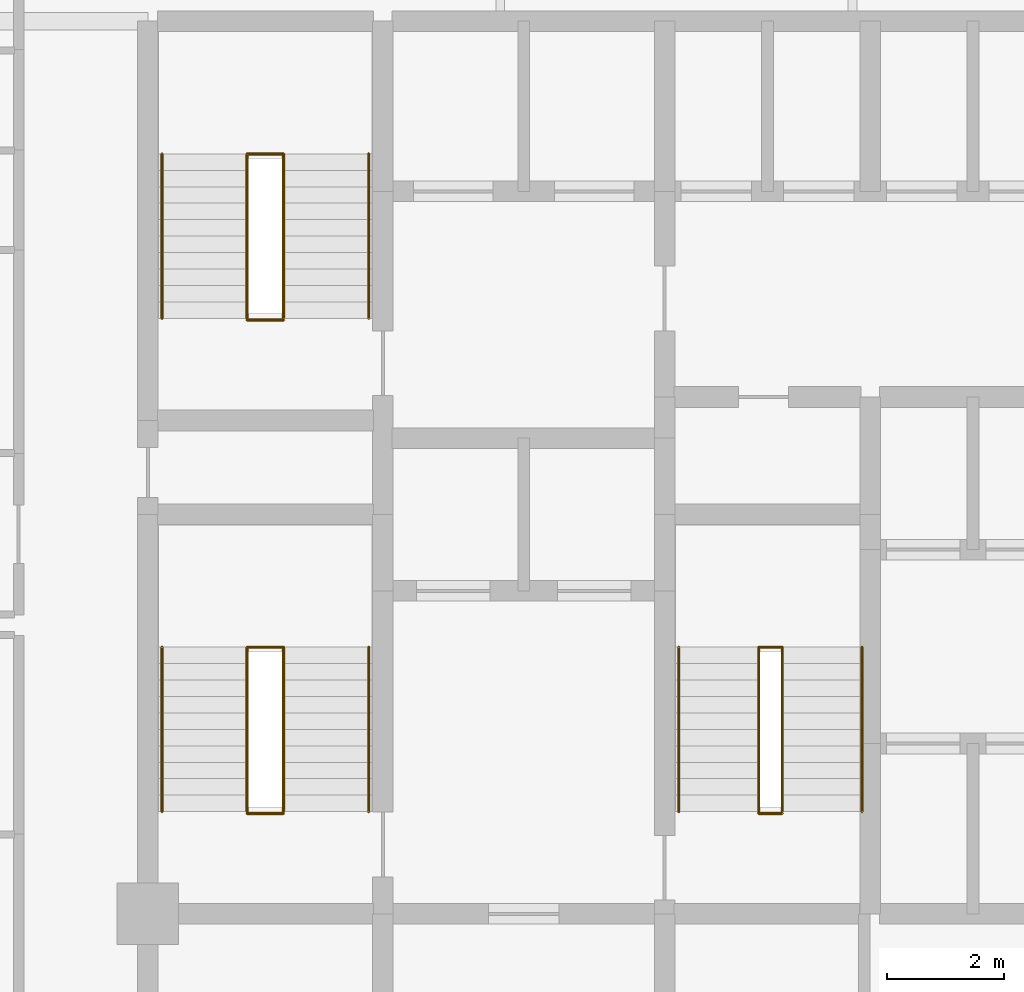
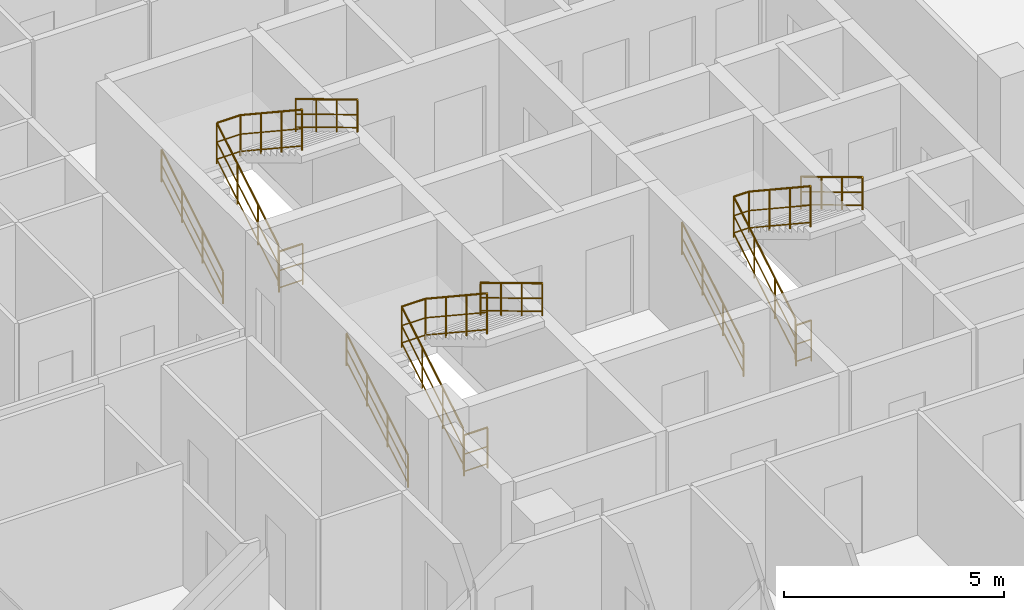
# One storey, part 30 of 30: 12 railings.
"""IFC4 building model written with IfcOpenShell, lengths in metres."""

from ifc_helpers import new_model, si_unit, direction, frame, origin, origin_2d, place, context, subcontext, project, spatial, circle, extrude, material, layer, layer_set, type_object, element, save


model = new_model("IFC4")

# Units and contexts
model_context = context("Model", 3, precision=1e-05, world=origin(), true_north=direction((0.0, 1.0)))
body_context = subcontext(model_context, "Body", "Model", "MODEL_VIEW")
ifc_project = project(units=[si_unit("LENGTHUNIT", "METRE"), si_unit("AREAUNIT", "SQUARE_METRE"), si_unit("VOLUMEUNIT", "CUBIC_METRE"), si_unit("PLANEANGLEUNIT", "RADIAN"), si_unit("MASSUNIT", "GRAM", prefix="KILO")], contexts=[model_context])

# Site, building, storey
site_placement = place(None, origin())
site = spatial("IfcSite", under=ifc_project, at=site_placement, CompositionType="ELEMENT")
building_placement = place(site_placement, origin())
building = spatial("IfcBuilding", under=site, at=building_placement, Name="Keshet Zoharim Tower", CompositionType="ELEMENT")
storey_placement = place(building_placement, frame((0.0, 0.0, 113.10009765625)))
storey = spatial("IfcBuildingStorey", under=building, at=storey_placement, Name="L27", CompositionType="ELEMENT", Elevation=113.10009765625)

# Railings
ifc_material = material(Name="Steel S355", Category="steel")
ifc_layer_1 = layer(ifc_material, 0.050048828125)
ifc_layer_set_1 = layer_set([ifc_layer_1], Name="Steel S355")
railing_type_1 = type_object("IfcRailingType", Name="RL-HND-092", PredefinedType="HANDRAIL", material=ifc_layer_set_1)
railing_1_placement = place(storey_placement, frame((15.239990234375, 24.43994140625, 0.168212890625)))
element("IfcRailing", 1, at=railing_1_placement, inside=storey, type_object=railing_type_1, Name="L27 ST-01 Flight 1 Wall Handrail", PredefinedType="HANDRAIL", context=body_context, shape_type="SweptSolid", body=[
    extrude(circle(Radius=0.02392578125, at=origin_2d()), frame((0.0, 0.0, 0.89599609375), z_axis=(0.0, 0.857275202839, 0.514858452973), x_axis=(-1.0, 0.0, 0.0)), (0.0, 0.0, 1.0), 3.26611328125),
    extrude(circle(Radius=0.01611328125, at=origin_2d()), frame((0.0, 0.0, 0.478271484375), z_axis=(0.0, 0.857275202839, 0.514858452973), x_axis=(-1.0, 0.0, 0.0)), (0.0, 0.0, 1.0), 3.26611328125),
    extrude(circle(Radius=0.01611328125, at=origin_2d()), frame((0.0, 0.0, 0.1201171875), z_axis=(0.0, 0.857275202839, 0.514858452973), x_axis=(-1.0, 0.0, 0.0)), (0.0, 0.0, 1.0), 3.26611328125),
    extrude(circle(Radius=0.02099609375, at=origin_2d()), origin(), (0.0, 0.0, 1.0), 0.871826171875),
    extrude(circle(Radius=0.02099609375, at=origin_2d()), frame((0.0, 0.933349609375, 0.560546875)), (0.0, 0.0, 1.0), 0.871826171875),
    extrude(circle(Radius=0.02099609375, at=origin_2d()), frame((0.0, 1.86669921875, 1.12109375)), (0.0, 0.0, 1.0), 0.871826171875),
    extrude(circle(Radius=0.02099609375, at=origin_2d()), frame((0.0, 2.800048828125, 1.681640625)), (0.0, 0.0, 1.0), 0.871826171875),
])
railing_2_placement = place(storey_placement, frame((18.760009765625, 27.239990234375, 2.01806640625)))
element("IfcRailing", 2, at=railing_2_placement, inside=storey, type_object=railing_type_1, Name="L27 ST-01 Flight 2 Wall Handrail", PredefinedType="HANDRAIL", context=body_context, shape_type="SweptSolid", body=[
    extrude(circle(Radius=0.02392578125, at=origin_2d()), frame((0.0, 0.0, 0.89599609375), z_axis=(0.0, -0.857242210791, 0.514913383045), x_axis=(1.0, 0.0, 0.0)), (0.0, 0.0, 1.0), 3.266357421875),
    extrude(circle(Radius=0.01611328125, at=origin_2d()), frame((0.0, 0.0, 0.478271484375), z_axis=(0.0, -0.857242210791, 0.514913383045), x_axis=(1.0, 0.0, 0.0)), (0.0, 0.0, 1.0), 3.266357421875),
    extrude(circle(Radius=0.01611328125, at=origin_2d()), frame((0.0, 0.0, 0.1201171875), z_axis=(0.0, -0.857242210791, 0.514913383045), x_axis=(1.0, 0.0, 0.0)), (0.0, 0.0, 1.0), 3.266357421875),
    extrude(circle(Radius=0.02099609375, at=origin_2d()), origin(), (0.0, 0.0, 1.0), 0.871826171875),
    extrude(circle(Radius=0.02099609375, at=origin_2d()), frame((0.0, -0.933349609375, 0.560546875)), (0.0, 0.0, 1.0), 0.871826171875),
    extrude(circle(Radius=0.02099609375, at=origin_2d()), frame((0.0, -1.86669921875, 1.121337890625)), (0.0, 0.0, 1.0), 0.871826171875),
    extrude(circle(Radius=0.02099609375, at=origin_2d()), frame((0.0, -2.800048828125, 1.681884765625)), (0.0, 0.0, 1.0), 0.871826171875),
])
railing_3_placement = place(storey_placement, frame((15.239990234375, 32.840087890625, 0.168212890625)))
element("IfcRailing", 3, at=railing_3_placement, inside=storey, type_object=railing_type_1, Name="L27 ST-02 Flight 1 Wall Handrail", PredefinedType="HANDRAIL", context=body_context, shape_type="SweptSolid", body=[
    extrude(circle(Radius=0.02392578125, at=origin_2d()), frame((0.0, 0.0, 0.89599609375), z_axis=(0.0, 0.857255387014, 0.514891446264), x_axis=(-1.0, 0.0, 0.0)), (0.0, 0.0, 1.0), 3.26611328125),
    extrude(circle(Radius=0.01611328125, at=origin_2d()), frame((0.0, 0.0, 0.478271484375), z_axis=(0.0, 0.857255387014, 0.514891446264), x_axis=(-1.0, 0.0, 0.0)), (0.0, 0.0, 1.0), 3.26611328125),
    extrude(circle(Radius=0.01611328125, at=origin_2d()), frame((0.0, 0.0, 0.1201171875), z_axis=(0.0, 0.857255387014, 0.514891446264), x_axis=(-1.0, 0.0, 0.0)), (0.0, 0.0, 1.0), 3.26611328125),
    extrude(circle(Radius=0.02099609375, at=origin_2d()), origin(), (0.0, 0.0, 1.0), 0.871826171875),
    extrude(circle(Radius=0.02099609375, at=origin_2d()), frame((0.0, 0.933349609375, 0.560546875)), (0.0, 0.0, 1.0), 0.871826171875),
    extrude(circle(Radius=0.02099609375, at=origin_2d()), frame((0.0, 1.866455078125, 1.12109375)), (0.0, 0.0, 1.0), 0.871826171875),
    extrude(circle(Radius=0.02099609375, at=origin_2d()), frame((0.0, 2.7998046875, 1.681640625)), (0.0, 0.0, 1.0), 0.871826171875),
])
railing_4_placement = place(storey_placement, frame((18.760009765625, 35.639892578125, 2.01806640625)))
element("IfcRailing", 4, at=railing_4_placement, inside=storey, type_object=railing_type_1, Name="L27 ST-02 Flight 2 Wall Handrail", PredefinedType="HANDRAIL", context=body_context, shape_type="SweptSolid", body=[
    extrude(circle(Radius=0.02392578125, at=origin_2d()), frame((0.0, 0.0, 0.89599609375), z_axis=(0.0, -0.857222391501, 0.514946377315), x_axis=(1.0, 0.0, 0.0)), (0.0, 0.0, 1.0), 3.26611328125),
    extrude(circle(Radius=0.01611328125, at=origin_2d()), frame((0.0, 0.0, 0.478271484375), z_axis=(0.0, -0.857222391501, 0.514946377315), x_axis=(1.0, 0.0, 0.0)), (0.0, 0.0, 1.0), 3.26611328125),
    extrude(circle(Radius=0.01611328125, at=origin_2d()), frame((0.0, 0.0, 0.1201171875), z_axis=(0.0, -0.857222391501, 0.514946377315), x_axis=(1.0, 0.0, 0.0)), (0.0, 0.0, 1.0), 3.26611328125),
    extrude(circle(Radius=0.02099609375, at=origin_2d()), origin(), (0.0, 0.0, 1.0), 0.871826171875),
    extrude(circle(Radius=0.02099609375, at=origin_2d()), frame((0.0, -0.933349609375, 0.560546875)), (0.0, 0.0, 1.0), 0.871826171875),
    extrude(circle(Radius=0.02099609375, at=origin_2d()), frame((0.0, -1.866455078125, 1.121337890625)), (0.0, 0.0, 1.0), 0.871826171875),
    extrude(circle(Radius=0.02099609375, at=origin_2d()), frame((0.0, -2.7998046875, 1.681884765625)), (0.0, 0.0, 1.0), 0.871826171875),
])
railing_5_placement = place(storey_placement, frame((24.0400390625, 24.43994140625, 0.168212890625)))
element("IfcRailing", 5, at=railing_5_placement, inside=storey, type_object=railing_type_1, Name="L27 ST-03 Flight 1 Wall Handrail", PredefinedType="HANDRAIL", context=body_context, shape_type="SweptSolid", body=[
    extrude(circle(Radius=0.02392578125, at=origin_2d()), frame((0.0, 0.0, 0.89599609375), z_axis=(0.0, 0.857275202839, 0.514858452973), x_axis=(-1.0, 0.0, 0.0)), (0.0, 0.0, 1.0), 3.26611328125),
    extrude(circle(Radius=0.01611328125, at=origin_2d()), frame((0.0, 0.0, 0.478271484375), z_axis=(0.0, 0.857275202839, 0.514858452973), x_axis=(-1.0, 0.0, 0.0)), (0.0, 0.0, 1.0), 3.26611328125),
    extrude(circle(Radius=0.01611328125, at=origin_2d()), frame((0.0, 0.0, 0.1201171875), z_axis=(0.0, 0.857275202839, 0.514858452973), x_axis=(-1.0, 0.0, 0.0)), (0.0, 0.0, 1.0), 3.26611328125),
    extrude(circle(Radius=0.02099609375, at=origin_2d()), origin(), (0.0, 0.0, 1.0), 0.871826171875),
    extrude(circle(Radius=0.02099609375, at=origin_2d()), frame((0.0, 0.933349609375, 0.560546875)), (0.0, 0.0, 1.0), 0.871826171875),
    extrude(circle(Radius=0.02099609375, at=origin_2d()), frame((0.0, 1.86669921875, 1.12109375)), (0.0, 0.0, 1.0), 0.871826171875),
    extrude(circle(Radius=0.02099609375, at=origin_2d()), frame((0.0, 2.800048828125, 1.681640625)), (0.0, 0.0, 1.0), 0.871826171875),
])
railing_6_placement = place(storey_placement, frame((27.159912109375, 27.239990234375, 2.01806640625)))
element("IfcRailing", 6, at=railing_6_placement, inside=storey, type_object=railing_type_1, Name="L27 ST-03 Flight 2 Wall Handrail", PredefinedType="HANDRAIL", context=body_context, shape_type="SweptSolid", body=[
    extrude(circle(Radius=0.02392578125, at=origin_2d()), frame((0.0, 0.0, 0.89599609375), z_axis=(0.0, -0.857242210791, 0.514913383045), x_axis=(1.0, 0.0, 0.0)), (0.0, 0.0, 1.0), 3.266357421875),
    extrude(circle(Radius=0.01611328125, at=origin_2d()), frame((0.0, 0.0, 0.478271484375), z_axis=(0.0, -0.857242210791, 0.514913383045), x_axis=(1.0, 0.0, 0.0)), (0.0, 0.0, 1.0), 3.266357421875),
    extrude(circle(Radius=0.01611328125, at=origin_2d()), frame((0.0, 0.0, 0.1201171875), z_axis=(0.0, -0.857242210791, 0.514913383045), x_axis=(1.0, 0.0, 0.0)), (0.0, 0.0, 1.0), 3.266357421875),
    extrude(circle(Radius=0.02099609375, at=origin_2d()), origin(), (0.0, 0.0, 1.0), 0.871826171875),
    extrude(circle(Radius=0.02099609375, at=origin_2d()), frame((0.0, -0.933349609375, 0.560546875)), (0.0, 0.0, 1.0), 0.871826171875),
    extrude(circle(Radius=0.02099609375, at=origin_2d()), frame((0.0, -1.86669921875, 1.121337890625)), (0.0, 0.0, 1.0), 0.871826171875),
    extrude(circle(Radius=0.02099609375, at=origin_2d()), frame((0.0, -2.800048828125, 1.681884765625)), (0.0, 0.0, 1.0), 0.871826171875),
])
ifc_layer_2 = layer(ifc_material, 0.06005859375)
ifc_layer_set_2 = layer_set([ifc_layer_2], Name="Steel S355")
railing_type_2 = type_object("IfcRailingType", Name="RL-STG-115", PredefinedType="GUARDRAIL", material=ifc_layer_set_2)
railing_7_placement = place(storey_placement, frame((16.68994140625, 24.43994140625, 0.168212890625)))
element("IfcRailing", 7, at=railing_7_placement, inside=storey, type_object=railing_type_2, Name="L27 ST-01 Inner Well Guardrail", PredefinedType="GUARDRAIL", context=body_context, shape_type="SweptSolid", body=[
    extrude(circle(Radius=0.02392578125, at=origin_2d()), frame((0.0, 0.0, 1.1259765625), z_axis=(0.0, 0.857275202839, 0.514858452973), x_axis=(-1.0, 0.0, 0.0)), (0.0, 0.0, 1.0), 3.26611328125),
    extrude(circle(Radius=0.01611328125, at=origin_2d()), frame((0.0, 0.0, 0.597900390625), z_axis=(0.0, 0.857275202839, 0.514858452973), x_axis=(-1.0, 0.0, 0.0)), (0.0, 0.0, 1.0), 3.26611328125),
    extrude(circle(Radius=0.01611328125, at=origin_2d()), frame((0.0, 0.0, 0.1201171875), z_axis=(0.0, 0.857275202839, 0.514858452973), x_axis=(-1.0, 0.0, 0.0)), (0.0, 0.0, 1.0), 3.26611328125),
    extrude(circle(Radius=0.02392578125, at=origin_2d()), frame((0.0, 2.800048828125, 2.8076171875), z_axis=(1.0, 0.0, 0.0), x_axis=(0.0, 1.0, 0.0)), (0.0, 0.0, 1.0), 0.6201171875),
    extrude(circle(Radius=0.01611328125, at=origin_2d()), frame((0.0, 2.800048828125, 2.279541015625), z_axis=(1.0, 0.0, 0.0), x_axis=(0.0, 1.0, 0.0)), (0.0, 0.0, 1.0), 0.6201171875),
    extrude(circle(Radius=0.01611328125, at=origin_2d()), frame((0.0, 2.800048828125, 1.8017578125), z_axis=(1.0, 0.0, 0.0), x_axis=(0.0, 1.0, 0.0)), (0.0, 0.0, 1.0), 0.6201171875),
    extrude(circle(Radius=0.02392578125, at=origin_2d()), frame((0.6201171875, 2.800048828125, 2.8076171875), z_axis=(0.0, -0.834326358476, 0.551270829586), x_axis=(1.0, 0.0, 0.0)), (0.0, 0.0, 1.0), 3.35595703125),
    extrude(circle(Radius=0.01611328125, at=origin_2d()), frame((0.6201171875, 2.800048828125, 2.279541015625), z_axis=(0.0, -0.834326358476, 0.551270829586), x_axis=(1.0, 0.0, 0.0)), (0.0, 0.0, 1.0), 3.35595703125),
    extrude(circle(Radius=0.01611328125, at=origin_2d()), frame((0.6201171875, 2.800048828125, 1.8017578125), z_axis=(0.0, -0.834326358476, 0.551270829586), x_axis=(1.0, 0.0, 0.0)), (0.0, 0.0, 1.0), 3.35595703125),
    extrude(circle(Radius=0.02099609375, at=origin_2d()), origin(), (0.0, 0.0, 1.0), 1.101806640625),
    extrude(circle(Radius=0.02099609375, at=origin_2d()), frame((0.0, 0.933349609375, 0.560546875)), (0.0, 0.0, 1.0), 1.101806640625),
    extrude(circle(Radius=0.02099609375, at=origin_2d()), frame((0.0, 1.86669921875, 1.12109375)), (0.0, 0.0, 1.0), 1.101806640625),
    extrude(circle(Radius=0.02099609375, at=origin_2d()), frame((0.0, 2.800048828125, 1.681640625)), (0.0, 0.0, 1.0), 1.101806640625),
    extrude(circle(Radius=0.02099609375, at=origin_2d()), frame((0.6201171875, 2.800048828125, 1.681640625)), (0.0, 0.0, 1.0), 1.101806640625),
    extrude(circle(Radius=0.02099609375, at=origin_2d()), frame((0.6201171875, 1.86669921875, 2.29833984375)), (0.0, 0.0, 1.0), 1.101806640625),
    extrude(circle(Radius=0.02099609375, at=origin_2d()), frame((0.6201171875, 0.933349609375, 2.9150390625)), (0.0, 0.0, 1.0), 1.101806640625),
    extrude(circle(Radius=0.02099609375, at=origin_2d()), frame((0.6201171875, 0.0, 3.53173828125)), (0.0, 0.0, 1.0), 1.101806640625),
])
railing_8_placement = place(storey_placement, frame((16.68994140625, 24.409912109375, 0.0)))
element("IfcRailing", 8, at=railing_8_placement, inside=storey, type_object=railing_type_2, Name="L27 ST-01 Stairwell Floor Guardrail", PredefinedType="GUARDRAIL", context=body_context, shape_type="SweptSolid", body=[
    extrude(circle(Radius=0.02392578125, at=origin_2d()), frame((0.0, 0.0, 1.1259765625), z_axis=(1.0, 0.0, 0.0), x_axis=(0.0, 1.0, 0.0)), (0.0, 0.0, 1.0), 0.6201171875),
    extrude(circle(Radius=0.01611328125, at=origin_2d()), frame((0.0, 0.0, 0.597900390625), z_axis=(1.0, 0.0, 0.0), x_axis=(0.0, 1.0, 0.0)), (0.0, 0.0, 1.0), 0.6201171875),
    extrude(circle(Radius=0.01611328125, at=origin_2d()), frame((0.0, 0.0, 0.1201171875), z_axis=(1.0, 0.0, 0.0), x_axis=(0.0, 1.0, 0.0)), (0.0, 0.0, 1.0), 0.6201171875),
    extrude(circle(Radius=0.02099609375, at=origin_2d()), origin(), (0.0, 0.0, 1.0), 1.101806640625),
    extrude(circle(Radius=0.02099609375, at=origin_2d()), frame((0.6201171875, 0.0, 0.0)), (0.0, 0.0, 1.0), 1.101806640625),
])
railing_9_placement = place(storey_placement, frame((16.68994140625, 32.840087890625, 0.168212890625)))
element("IfcRailing", 9, at=railing_9_placement, inside=storey, type_object=railing_type_2, Name="L27 ST-02 Inner Well Guardrail", PredefinedType="GUARDRAIL", context=body_context, shape_type="SweptSolid", body=[
    extrude(circle(Radius=0.02392578125, at=origin_2d()), frame((0.0, 0.0, 1.1259765625), z_axis=(0.0, 0.857255387014, 0.514891446264), x_axis=(-1.0, 0.0, 0.0)), (0.0, 0.0, 1.0), 3.26611328125),
    extrude(circle(Radius=0.01611328125, at=origin_2d()), frame((0.0, 0.0, 0.597900390625), z_axis=(0.0, 0.857255387014, 0.514891446264), x_axis=(-1.0, 0.0, 0.0)), (0.0, 0.0, 1.0), 3.26611328125),
    extrude(circle(Radius=0.01611328125, at=origin_2d()), frame((0.0, 0.0, 0.1201171875), z_axis=(0.0, 0.857255387014, 0.514891446264), x_axis=(-1.0, 0.0, 0.0)), (0.0, 0.0, 1.0), 3.26611328125),
    extrude(circle(Radius=0.02392578125, at=origin_2d()), frame((0.0, 2.7998046875, 2.8076171875), z_axis=(1.0, 0.0, 0.0), x_axis=(0.0, 1.0, 0.0)), (0.0, 0.0, 1.0), 0.6201171875),
    extrude(circle(Radius=0.01611328125, at=origin_2d()), frame((0.0, 2.7998046875, 2.279541015625), z_axis=(1.0, 0.0, 0.0), x_axis=(0.0, 1.0, 0.0)), (0.0, 0.0, 1.0), 0.6201171875),
    extrude(circle(Radius=0.01611328125, at=origin_2d()), frame((0.0, 2.7998046875, 1.8017578125), z_axis=(1.0, 0.0, 0.0), x_axis=(0.0, 1.0, 0.0)), (0.0, 0.0, 1.0), 0.6201171875),
    extrude(circle(Radius=0.02392578125, at=origin_2d()), frame((0.6201171875, 2.7998046875, 2.8076171875), z_axis=(0.0, -0.834304248922, 0.551304290053), x_axis=(1.0, 0.0, 0.0)), (0.0, 0.0, 1.0), 3.35595703125),
    extrude(circle(Radius=0.01611328125, at=origin_2d()), frame((0.6201171875, 2.7998046875, 2.279541015625), z_axis=(0.0, -0.834304248922, 0.551304290053), x_axis=(1.0, 0.0, 0.0)), (0.0, 0.0, 1.0), 3.35595703125),
    extrude(circle(Radius=0.01611328125, at=origin_2d()), frame((0.6201171875, 2.7998046875, 1.8017578125), z_axis=(0.0, -0.834304248922, 0.551304290053), x_axis=(1.0, 0.0, 0.0)), (0.0, 0.0, 1.0), 3.35595703125),
    extrude(circle(Radius=0.02099609375, at=origin_2d()), origin(), (0.0, 0.0, 1.0), 1.101806640625),
    extrude(circle(Radius=0.02099609375, at=origin_2d()), frame((0.0, 0.933349609375, 0.560546875)), (0.0, 0.0, 1.0), 1.101806640625),
    extrude(circle(Radius=0.02099609375, at=origin_2d()), frame((0.0, 1.866455078125, 1.12109375)), (0.0, 0.0, 1.0), 1.101806640625),
    extrude(circle(Radius=0.02099609375, at=origin_2d()), frame((0.0, 2.7998046875, 1.681640625)), (0.0, 0.0, 1.0), 1.101806640625),
    extrude(circle(Radius=0.02099609375, at=origin_2d()), frame((0.6201171875, 2.7998046875, 1.681640625)), (0.0, 0.0, 1.0), 1.101806640625),
    extrude(circle(Radius=0.02099609375, at=origin_2d()), frame((0.6201171875, 1.866455078125, 2.29833984375)), (0.0, 0.0, 1.0), 1.101806640625),
    extrude(circle(Radius=0.02099609375, at=origin_2d()), frame((0.6201171875, 0.933349609375, 2.9150390625)), (0.0, 0.0, 1.0), 1.101806640625),
    extrude(circle(Radius=0.02099609375, at=origin_2d()), frame((0.6201171875, 0.0, 3.53173828125)), (0.0, 0.0, 1.0), 1.101806640625),
])
railing_10_placement = place(storey_placement, frame((16.68994140625, 32.81005859375, 0.0)))
element("IfcRailing", 10, at=railing_10_placement, inside=storey, type_object=railing_type_2, Name="L27 ST-02 Stairwell Floor Guardrail", PredefinedType="GUARDRAIL", context=body_context, shape_type="SweptSolid", body=[
    extrude(circle(Radius=0.02392578125, at=origin_2d()), frame((0.0, 0.0, 1.1259765625), z_axis=(1.0, 0.0, 0.0), x_axis=(0.0, 1.0, 0.0)), (0.0, 0.0, 1.0), 0.6201171875),
    extrude(circle(Radius=0.01611328125, at=origin_2d()), frame((0.0, 0.0, 0.597900390625), z_axis=(1.0, 0.0, 0.0), x_axis=(0.0, 1.0, 0.0)), (0.0, 0.0, 1.0), 0.6201171875),
    extrude(circle(Radius=0.01611328125, at=origin_2d()), frame((0.0, 0.0, 0.1201171875), z_axis=(1.0, 0.0, 0.0), x_axis=(0.0, 1.0, 0.0)), (0.0, 0.0, 1.0), 0.6201171875),
    extrude(circle(Radius=0.02099609375, at=origin_2d()), origin(), (0.0, 0.0, 1.0), 1.101806640625),
    extrude(circle(Radius=0.02099609375, at=origin_2d()), frame((0.6201171875, 0.0, 0.0)), (0.0, 0.0, 1.0), 1.101806640625),
])
railing_11_placement = place(storey_placement, frame((25.39990234375, 24.43994140625, 0.168212890625)))
element("IfcRailing", 11, at=railing_11_placement, inside=storey, type_object=railing_type_2, Name="L27 ST-03 Inner Well Guardrail", PredefinedType="GUARDRAIL", context=body_context, shape_type="SweptSolid", body=[
    extrude(circle(Radius=0.02392578125, at=origin_2d()), frame((0.0, 0.0, 1.1259765625), z_axis=(0.0, 0.857275202839, 0.514858452973), x_axis=(-1.0, 0.0, 0.0)), (0.0, 0.0, 1.0), 3.26611328125),
    extrude(circle(Radius=0.01611328125, at=origin_2d()), frame((0.0, 0.0, 0.597900390625), z_axis=(0.0, 0.857275202839, 0.514858452973), x_axis=(-1.0, 0.0, 0.0)), (0.0, 0.0, 1.0), 3.26611328125),
    extrude(circle(Radius=0.01611328125, at=origin_2d()), frame((0.0, 0.0, 0.1201171875), z_axis=(0.0, 0.857275202839, 0.514858452973), x_axis=(-1.0, 0.0, 0.0)), (0.0, 0.0, 1.0), 3.26611328125),
    extrude(circle(Radius=0.02392578125, at=origin_2d()), frame((0.0, 2.800048828125, 2.8076171875), z_axis=(1.0, 0.0, 0.0), x_axis=(0.0, 1.0, 0.0)), (0.0, 0.0, 1.0), 0.400146484375),
    extrude(circle(Radius=0.01611328125, at=origin_2d()), frame((0.0, 2.800048828125, 2.279541015625), z_axis=(1.0, 0.0, 0.0), x_axis=(0.0, 1.0, 0.0)), (0.0, 0.0, 1.0), 0.400146484375),
    extrude(circle(Radius=0.01611328125, at=origin_2d()), frame((0.0, 2.800048828125, 1.8017578125), z_axis=(1.0, 0.0, 0.0), x_axis=(0.0, 1.0, 0.0)), (0.0, 0.0, 1.0), 0.400146484375),
    extrude(circle(Radius=0.02392578125, at=origin_2d()), frame((0.400146484375, 2.800048828125, 2.8076171875), z_axis=(0.0, -0.834326358476, 0.551270829586), x_axis=(1.0, 0.0, 0.0)), (0.0, 0.0, 1.0), 3.35595703125),
    extrude(circle(Radius=0.01611328125, at=origin_2d()), frame((0.400146484375, 2.800048828125, 2.279541015625), z_axis=(0.0, -0.834326358476, 0.551270829586), x_axis=(1.0, 0.0, 0.0)), (0.0, 0.0, 1.0), 3.35595703125),
    extrude(circle(Radius=0.01611328125, at=origin_2d()), frame((0.400146484375, 2.800048828125, 1.8017578125), z_axis=(0.0, -0.834326358476, 0.551270829586), x_axis=(1.0, 0.0, 0.0)), (0.0, 0.0, 1.0), 3.35595703125),
    extrude(circle(Radius=0.02099609375, at=origin_2d()), origin(), (0.0, 0.0, 1.0), 1.101806640625),
    extrude(circle(Radius=0.02099609375, at=origin_2d()), frame((0.0, 0.933349609375, 0.560546875)), (0.0, 0.0, 1.0), 1.101806640625),
    extrude(circle(Radius=0.02099609375, at=origin_2d()), frame((0.0, 1.86669921875, 1.12109375)), (0.0, 0.0, 1.0), 1.101806640625),
    extrude(circle(Radius=0.02099609375, at=origin_2d()), frame((0.0, 2.800048828125, 1.681640625)), (0.0, 0.0, 1.0), 1.101806640625),
    extrude(circle(Radius=0.02099609375, at=origin_2d()), frame((0.400146484375, 2.800048828125, 1.681640625)), (0.0, 0.0, 1.0), 1.101806640625),
    extrude(circle(Radius=0.02099609375, at=origin_2d()), frame((0.400146484375, 1.86669921875, 2.29833984375)), (0.0, 0.0, 1.0), 1.101806640625),
    extrude(circle(Radius=0.02099609375, at=origin_2d()), frame((0.400146484375, 0.933349609375, 2.9150390625)), (0.0, 0.0, 1.0), 1.101806640625),
    extrude(circle(Radius=0.02099609375, at=origin_2d()), frame((0.400146484375, 0.0, 3.53173828125)), (0.0, 0.0, 1.0), 1.101806640625),
])
railing_12_placement = place(storey_placement, frame((25.39990234375, 24.409912109375, 0.0)))
element("IfcRailing", 12, at=railing_12_placement, inside=storey, type_object=railing_type_2, Name="L27 ST-03 Stairwell Floor Guardrail", PredefinedType="GUARDRAIL", context=body_context, shape_type="SweptSolid", body=[
    extrude(circle(Radius=0.02392578125, at=origin_2d()), frame((0.0, 0.0, 1.1259765625), z_axis=(1.0, 0.0, 0.0), x_axis=(0.0, 1.0, 0.0)), (0.0, 0.0, 1.0), 0.400146484375),
    extrude(circle(Radius=0.01611328125, at=origin_2d()), frame((0.0, 0.0, 0.597900390625), z_axis=(1.0, 0.0, 0.0), x_axis=(0.0, 1.0, 0.0)), (0.0, 0.0, 1.0), 0.400146484375),
    extrude(circle(Radius=0.01611328125, at=origin_2d()), frame((0.0, 0.0, 0.1201171875), z_axis=(1.0, 0.0, 0.0), x_axis=(0.0, 1.0, 0.0)), (0.0, 0.0, 1.0), 0.400146484375),
    extrude(circle(Radius=0.02099609375, at=origin_2d()), origin(), (0.0, 0.0, 1.0), 1.101806640625),
    extrude(circle(Radius=0.02099609375, at=origin_2d()), frame((0.400146484375, 0.0, 0.0)), (0.0, 0.0, 1.0), 1.101806640625),
])

save(model, "model.ifc")
